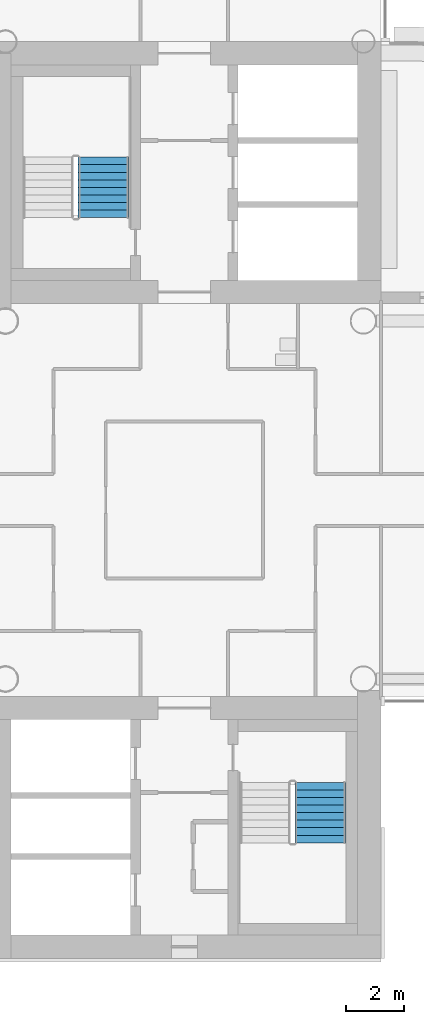
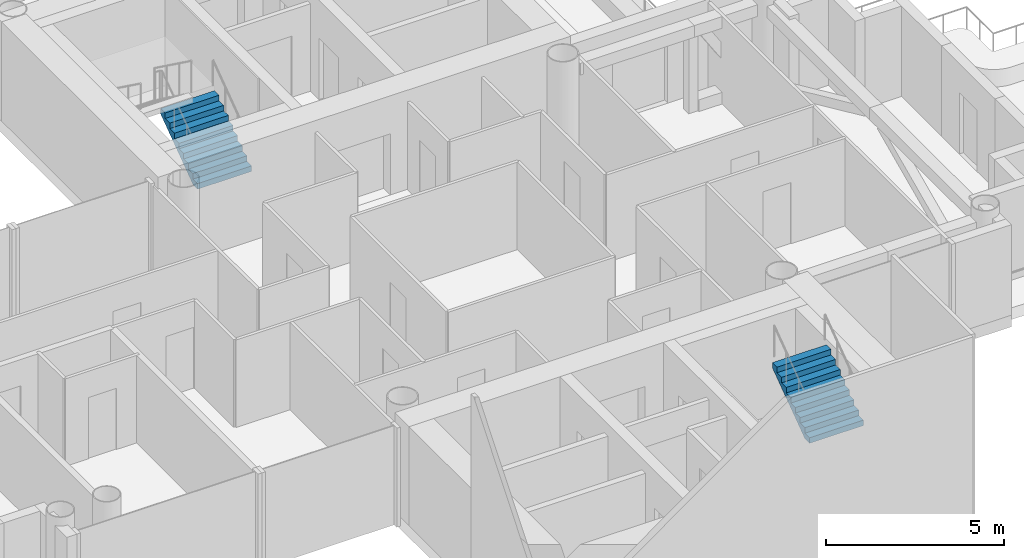
# One storey, part 16 of 19: 2 stair flights, 2 elements without a shape of their own.
"""IFC4 building model written with IfcOpenShell, lengths in metres."""

from ifc_helpers import new_model, si_unit, direction, frame, origin, place, context, subcontext, project, spatial, faceted_brep, material, type_object, element, aggregate, save


model = new_model("IFC4")

# Units and contexts
model_context = context("Model", 3, precision=1e-05, world=origin(), true_north=direction((0.0, 1.0)))
body_context = subcontext(model_context, "Body", "Model", "MODEL_VIEW")
ifc_project = project(units=[si_unit("LENGTHUNIT", "METRE"), si_unit("AREAUNIT", "SQUARE_METRE"), si_unit("VOLUMEUNIT", "CUBIC_METRE"), si_unit("PLANEANGLEUNIT", "RADIAN"), si_unit("MASSUNIT", "GRAM", prefix="KILO")], contexts=[model_context])

# Site, building, storey
site_placement = place(None, origin())
site = spatial("IfcSite", under=ifc_project, at=site_placement, CompositionType="ELEMENT")
building_placement = place(site_placement, origin())
building = spatial("IfcBuilding", under=site, at=building_placement, Name="Ipe Terrace Towers", CompositionType="ELEMENT")
storey_placement = place(building_placement, frame((0.0, 0.0, 133.699951171875)))
storey = spatial("IfcBuildingStorey", under=building, at=storey_placement, Name="L36", CompositionType="ELEMENT", Elevation=133.699951171875)

# Stair, stair flight
ifc_material_1 = material(Name="Concrete C30/37", Category="concrete")
stair_type = type_object("IfcStairType", Name="Protected exit stair", PredefinedType="HALF_TURN_STAIR", material=ifc_material_1)
stair_1_placement = place(storey_placement, origin())
stair_1 = element("IfcStair", 1, at=stair_1_placement, inside=storey, type_object=stair_type, Name="L36 Exit stair T2-C1", PredefinedType="HALF_TURN_STAIR")
ifc_material_2 = material(Name="Concrete C30/37", Category="concrete")
stair_flight_type = type_object("IfcStairFlightType", Name="Exit stair flight 1750", PredefinedType="STRAIGHT", material=ifc_material_2)
stair_flight_1_placement = place(storey_placement, frame((33.22509765625, 9.699951171875, 0.0), z_axis=(0.0, 0.0, 1.0), x_axis=(0.0, 1.0, 0.0)))
stair_flight_1 = element("IfcStairFlight", 2, at=stair_flight_1_placement, type_object=stair_flight_type, Name="T2-ST1 flight 1", NumberOfRisers=9, NumberOfTreads=8, PredefinedType="STRAIGHT", RiserHeight=0.188888889, TreadLength=0.26, context=body_context, shape_type="Brep", body=[
    faceted_brep([(0.255126953125, -0.875, 0.0), (2.080078125, -0.875, 1.325927734375), (2.080078125, -0.875, 1.51123046875), (1.820068359375, -0.875, 1.51123046875), (1.820068359375, -0.875, 1.322265625), (1.56005859375, -0.875, 1.322265625), (1.56005859375, -0.875, 1.13330078125), (1.300048828125, -0.875, 1.13330078125), (1.300048828125, -0.875, 0.9443359375), (1.0400390625, -0.875, 0.9443359375), (1.0400390625, -0.875, 0.755615234375), (0.780029296875, -0.875, 0.755615234375), (0.780029296875, -0.875, 0.566650390625), (0.52001953125, -0.875, 0.566650390625), (0.52001953125, -0.875, 0.377685546875), (0.260009765625, -0.875, 0.377685546875), (0.260009765625, -0.875, 0.18896484375), (0.0, -0.875, 0.18896484375), (0.0, -0.875, 0.0), (0.0, 0.875, 0.0), (0.0, 0.875, 0.18896484375), (0.260009765625, 0.875, 0.18896484375), (0.260009765625, 0.875, 0.377685546875), (0.52001953125, 0.875, 0.377685546875), (0.52001953125, 0.875, 0.566650390625), (0.780029296875, 0.875, 0.566650390625), (0.780029296875, 0.875, 0.755615234375), (1.0400390625, 0.875, 0.755615234375), (1.0400390625, 0.875, 0.9443359375), (1.300048828125, 0.875, 0.9443359375), (1.300048828125, 0.875, 1.13330078125), (1.56005859375, 0.875, 1.13330078125), (1.56005859375, 0.875, 1.322265625), (1.820068359375, 0.875, 1.322265625), (1.820068359375, 0.875, 1.51123046875), (2.080078125, 0.875, 1.51123046875), (2.080078125, 0.875, 1.325927734375), (0.255126953125, 0.875, 0.0), (0.0, -0.300048828125, 0.18896484375), (0.0, -0.1201171875, 0.18896484375), (0.0, -0.06005859375, 0.18896484375), (0.0, -0.030029296875, 0.18896484375), (0.0, -0.010009765625, 0.18896484375), (0.0, 0.0, 0.18896484375), (0.0, 0.010009765625, 0.18896484375), (0.0, 0.030029296875, 0.18896484375), (0.0, 0.06005859375, 0.18896484375), (0.0, 0.1201171875, 0.18896484375), (0.0, 0.300048828125, 0.18896484375), (0.0, 0.300048828125, 0.0), (0.0, 0.1201171875, 0.0), (0.0, 0.06005859375, 0.0), (0.0, 0.030029296875, 0.0), (0.0, 0.010009765625, 0.0), (0.0, 0.0, 0.0), (0.0, -0.010009765625, 0.0), (0.0, -0.030029296875, 0.0), (0.0, -0.06005859375, 0.0), (0.0, -0.1201171875, 0.0), (0.0, -0.300048828125, 0.0), (0.260009765625, -0.300048828125, 0.18896484375), (0.260009765625, -0.1201171875, 0.18896484375), (0.260009765625, -0.06005859375, 0.18896484375), (0.260009765625, -0.030029296875, 0.18896484375), (0.260009765625, -0.010009765625, 0.18896484375), (0.260009765625, 0.0, 0.18896484375), (0.260009765625, 0.010009765625, 0.18896484375), (0.260009765625, 0.030029296875, 0.18896484375), (0.260009765625, 0.06005859375, 0.18896484375), (0.260009765625, 0.1201171875, 0.18896484375), (0.260009765625, 0.300048828125, 0.18896484375), (0.260009765625, -0.300048828125, 0.377685546875), (0.260009765625, -0.1201171875, 0.377685546875), (0.260009765625, -0.06005859375, 0.377685546875), (0.260009765625, -0.030029296875, 0.377685546875), (0.260009765625, -0.010009765625, 0.377685546875), (0.260009765625, 0.0, 0.377685546875), (0.260009765625, 0.010009765625, 0.377685546875), (0.260009765625, 0.030029296875, 0.377685546875), (0.260009765625, 0.06005859375, 0.377685546875), (0.260009765625, 0.1201171875, 0.377685546875), (0.260009765625, 0.300048828125, 0.377685546875), (0.52001953125, -0.300048828125, 0.377685546875), (0.52001953125, -0.1201171875, 0.377685546875), (0.52001953125, -0.06005859375, 0.377685546875), (0.52001953125, -0.030029296875, 0.377685546875), (0.52001953125, -0.010009765625, 0.377685546875), (0.52001953125, 0.0, 0.377685546875), (0.52001953125, 0.010009765625, 0.377685546875), (0.52001953125, 0.030029296875, 0.377685546875), (0.52001953125, 0.06005859375, 0.377685546875), (0.52001953125, 0.1201171875, 0.377685546875), (0.52001953125, 0.300048828125, 0.377685546875), (0.52001953125, -0.300048828125, 0.566650390625), (0.52001953125, -0.1201171875, 0.566650390625), (0.52001953125, -0.06005859375, 0.566650390625), (0.52001953125, -0.030029296875, 0.566650390625), (0.52001953125, -0.010009765625, 0.566650390625), (0.52001953125, 0.0, 0.566650390625), (0.52001953125, 0.010009765625, 0.566650390625), (0.52001953125, 0.030029296875, 0.566650390625), (0.52001953125, 0.06005859375, 0.566650390625), (0.52001953125, 0.1201171875, 0.566650390625), (0.52001953125, 0.300048828125, 0.566650390625), (0.780029296875, -0.300048828125, 0.566650390625), (0.780029296875, -0.1201171875, 0.566650390625), (0.780029296875, -0.06005859375, 0.566650390625), (0.780029296875, -0.030029296875, 0.566650390625), (0.780029296875, -0.010009765625, 0.566650390625), (0.780029296875, 0.0, 0.566650390625), (0.780029296875, 0.010009765625, 0.566650390625), (0.780029296875, 0.030029296875, 0.566650390625), (0.780029296875, 0.06005859375, 0.566650390625), (0.780029296875, 0.1201171875, 0.566650390625), (0.780029296875, 0.300048828125, 0.566650390625), (0.780029296875, -0.300048828125, 0.755615234375), (0.780029296875, -0.1201171875, 0.755615234375), (0.780029296875, -0.06005859375, 0.755615234375), (0.780029296875, -0.030029296875, 0.755615234375), (0.780029296875, -0.010009765625, 0.755615234375), (0.780029296875, 0.0, 0.755615234375), (0.780029296875, 0.010009765625, 0.755615234375), (0.780029296875, 0.030029296875, 0.755615234375), (0.780029296875, 0.06005859375, 0.755615234375), (0.780029296875, 0.1201171875, 0.755615234375), (0.780029296875, 0.300048828125, 0.755615234375), (1.0400390625, -0.300048828125, 0.755615234375), (1.0400390625, -0.1201171875, 0.755615234375), (1.0400390625, -0.06005859375, 0.755615234375), (1.0400390625, -0.030029296875, 0.755615234375), (1.0400390625, -0.010009765625, 0.755615234375), (1.0400390625, 0.0, 0.755615234375), (1.0400390625, 0.010009765625, 0.755615234375), (1.0400390625, 0.030029296875, 0.755615234375), (1.0400390625, 0.06005859375, 0.755615234375), (1.0400390625, 0.1201171875, 0.755615234375), (1.0400390625, 0.300048828125, 0.755615234375), (1.0400390625, -0.300048828125, 0.9443359375), (1.0400390625, -0.1201171875, 0.9443359375), (1.0400390625, -0.06005859375, 0.9443359375), (1.0400390625, -0.030029296875, 0.9443359375), (1.0400390625, -0.010009765625, 0.9443359375), (1.0400390625, 0.0, 0.9443359375), (1.0400390625, 0.010009765625, 0.9443359375), (1.0400390625, 0.030029296875, 0.9443359375), (1.0400390625, 0.06005859375, 0.9443359375), (1.0400390625, 0.1201171875, 0.9443359375), (1.0400390625, 0.300048828125, 0.9443359375), (1.300048828125, -0.300048828125, 0.9443359375), (1.300048828125, -0.1201171875, 0.9443359375), (1.300048828125, -0.06005859375, 0.9443359375), (1.300048828125, -0.030029296875, 0.9443359375), (1.300048828125, -0.010009765625, 0.9443359375), (1.300048828125, 0.0, 0.9443359375), (1.300048828125, 0.010009765625, 0.9443359375), (1.300048828125, 0.030029296875, 0.9443359375), (1.300048828125, 0.06005859375, 0.9443359375), (1.300048828125, 0.1201171875, 0.9443359375), (1.300048828125, 0.300048828125, 0.9443359375), (1.300048828125, -0.300048828125, 1.13330078125), (1.300048828125, -0.1201171875, 1.13330078125), (1.300048828125, -0.06005859375, 1.13330078125), (1.300048828125, -0.030029296875, 1.13330078125), (1.300048828125, -0.010009765625, 1.13330078125), (1.300048828125, 0.0, 1.13330078125), (1.300048828125, 0.010009765625, 1.13330078125), (1.300048828125, 0.030029296875, 1.13330078125), (1.300048828125, 0.06005859375, 1.13330078125), (1.300048828125, 0.1201171875, 1.13330078125), (1.300048828125, 0.300048828125, 1.13330078125), (1.56005859375, -0.300048828125, 1.13330078125), (1.56005859375, -0.1201171875, 1.13330078125), (1.56005859375, -0.06005859375, 1.13330078125), (1.56005859375, -0.030029296875, 1.13330078125), (1.56005859375, -0.010009765625, 1.13330078125), (1.56005859375, 0.0, 1.13330078125), (1.56005859375, 0.010009765625, 1.13330078125), (1.56005859375, 0.030029296875, 1.13330078125), (1.56005859375, 0.06005859375, 1.13330078125), (1.56005859375, 0.1201171875, 1.13330078125), (1.56005859375, 0.300048828125, 1.13330078125), (1.56005859375, -0.300048828125, 1.322265625), (1.56005859375, -0.1201171875, 1.322265625), (1.56005859375, -0.06005859375, 1.322265625), (1.56005859375, -0.030029296875, 1.322265625), (1.56005859375, -0.010009765625, 1.322265625), (1.56005859375, 0.0, 1.322265625), (1.56005859375, 0.010009765625, 1.322265625), (1.56005859375, 0.030029296875, 1.322265625), (1.56005859375, 0.06005859375, 1.322265625), (1.56005859375, 0.1201171875, 1.322265625), (1.56005859375, 0.300048828125, 1.322265625), (1.820068359375, -0.300048828125, 1.322265625), (1.820068359375, -0.1201171875, 1.322265625), (1.820068359375, -0.06005859375, 1.322265625), (1.820068359375, -0.030029296875, 1.322265625), (1.820068359375, -0.010009765625, 1.322265625), (1.820068359375, 0.0, 1.322265625), (1.820068359375, 0.010009765625, 1.322265625), (1.820068359375, 0.030029296875, 1.322265625), (1.820068359375, 0.06005859375, 1.322265625), (1.820068359375, 0.1201171875, 1.322265625), (1.820068359375, 0.300048828125, 1.322265625), (1.820068359375, -0.300048828125, 1.51123046875), (1.820068359375, -0.1201171875, 1.51123046875), (1.820068359375, -0.06005859375, 1.51123046875), (1.820068359375, -0.030029296875, 1.51123046875), (1.820068359375, -0.010009765625, 1.51123046875), (1.820068359375, 0.0, 1.51123046875), (1.820068359375, 0.010009765625, 1.51123046875), (1.820068359375, 0.030029296875, 1.51123046875), (1.820068359375, 0.06005859375, 1.51123046875), (1.820068359375, 0.1201171875, 1.51123046875), (1.820068359375, 0.300048828125, 1.51123046875), (2.080078125, -0.300048828125, 1.51123046875), (2.080078125, -0.1201171875, 1.51123046875), (2.080078125, -0.06005859375, 1.51123046875), (2.080078125, -0.030029296875, 1.51123046875), (2.080078125, -0.010009765625, 1.51123046875), (2.080078125, 0.0, 1.51123046875), (2.080078125, 0.010009765625, 1.51123046875), (2.080078125, 0.030029296875, 1.51123046875), (2.080078125, 0.06005859375, 1.51123046875), (2.080078125, 0.1201171875, 1.51123046875), (2.080078125, 0.300048828125, 1.51123046875), (2.080078125, -0.300048828125, 1.325927734375), (2.080078125, -0.1201171875, 1.325927734375), (2.080078125, -0.06005859375, 1.325927734375), (2.080078125, -0.030029296875, 1.325927734375), (2.080078125, -0.010009765625, 1.325927734375), (2.080078125, 0.0, 1.325927734375), (2.080078125, 0.010009765625, 1.325927734375), (2.080078125, 0.030029296875, 1.325927734375), (2.080078125, 0.06005859375, 1.325927734375), (2.080078125, 0.1201171875, 1.325927734375), (2.080078125, 0.300048828125, 1.325927734375), (0.255126953125, -0.300048828125, 0.0), (0.255126953125, -0.1201171875, 0.0), (0.255126953125, -0.06005859375, 0.0), (0.255126953125, -0.030029296875, 0.0), (0.255126953125, -0.010009765625, 0.0), (0.255126953125, 0.0, 0.0), (0.255126953125, 0.010009765625, 0.0), (0.255126953125, 0.030029296875, 0.0), (0.255126953125, 0.06005859375, 0.0), (0.255126953125, 0.1201171875, 0.0), (0.255126953125, 0.300048828125, 0.0)], [[[0, 1, 2, 3, 4, 5, 6, 7, 8, 9, 10, 11, 12, 13, 14, 15, 16, 17, 18]], [[19, 20, 21, 22, 23, 24, 25, 26, 27, 28, 29, 30, 31, 32, 33, 34, 35, 36, 37]], [[17, 38, 39, 40, 41, 42, 43, 44, 45, 46, 47, 48, 20, 19, 49, 50, 51, 52, 53, 54, 55, 56, 57, 58, 59, 18]], [[16, 60, 61, 62, 63, 64, 65, 66, 67, 68, 69, 70, 21, 20, 48, 47, 46, 45, 44, 43, 42, 41, 40, 39, 38, 17]], [[15, 71, 72, 73, 74, 75, 76, 77, 78, 79, 80, 81, 22, 21, 70, 69, 68, 67, 66, 65, 64, 63, 62, 61, 60, 16]], [[14, 82, 83, 84, 85, 86, 87, 88, 89, 90, 91, 92, 23, 22, 81, 80, 79, 78, 77, 76, 75, 74, 73, 72, 71, 15]], [[13, 93, 94, 95, 96, 97, 98, 99, 100, 101, 102, 103, 24, 23, 92, 91, 90, 89, 88, 87, 86, 85, 84, 83, 82, 14]], [[12, 104, 105, 106, 107, 108, 109, 110, 111, 112, 113, 114, 25, 24, 103, 102, 101, 100, 99, 98, 97, 96, 95, 94, 93, 13]], [[11, 115, 116, 117, 118, 119, 120, 121, 122, 123, 124, 125, 26, 25, 114, 113, 112, 111, 110, 109, 108, 107, 106, 105, 104, 12]], [[10, 126, 127, 128, 129, 130, 131, 132, 133, 134, 135, 136, 27, 26, 125, 124, 123, 122, 121, 120, 119, 118, 117, 116, 115, 11]], [[9, 137, 138, 139, 140, 141, 142, 143, 144, 145, 146, 147, 28, 27, 136, 135, 134, 133, 132, 131, 130, 129, 128, 127, 126, 10]], [[8, 148, 149, 150, 151, 152, 153, 154, 155, 156, 157, 158, 29, 28, 147, 146, 145, 144, 143, 142, 141, 140, 139, 138, 137, 9]], [[7, 159, 160, 161, 162, 163, 164, 165, 166, 167, 168, 169, 30, 29, 158, 157, 156, 155, 154, 153, 152, 151, 150, 149, 148, 8]], [[6, 170, 171, 172, 173, 174, 175, 176, 177, 178, 179, 180, 31, 30, 169, 168, 167, 166, 165, 164, 163, 162, 161, 160, 159, 7]], [[5, 181, 182, 183, 184, 185, 186, 187, 188, 189, 190, 191, 32, 31, 180, 179, 178, 177, 176, 175, 174, 173, 172, 171, 170, 6]], [[4, 192, 193, 194, 195, 196, 197, 198, 199, 200, 201, 202, 33, 32, 191, 190, 189, 188, 187, 186, 185, 184, 183, 182, 181, 5]], [[3, 203, 204, 205, 206, 207, 208, 209, 210, 211, 212, 213, 34, 33, 202, 201, 200, 199, 198, 197, 196, 195, 194, 193, 192, 4]], [[2, 214, 215, 216, 217, 218, 219, 220, 221, 222, 223, 224, 35, 34, 213, 212, 211, 210, 209, 208, 207, 206, 205, 204, 203, 3]], [[1, 225, 226, 227, 228, 229, 230, 231, 232, 233, 234, 235, 36, 35, 224, 223, 222, 221, 220, 219, 218, 217, 216, 215, 214, 2]], [[0, 236, 237, 238, 239, 240, 241, 242, 243, 244, 245, 246, 37, 36, 235, 234, 233, 232, 231, 230, 229, 228, 227, 226, 225, 1]], [[18, 59, 58, 57, 56, 55, 54, 53, 52, 51, 50, 49, 19, 37, 246, 245, 244, 243, 242, 241, 240, 239, 238, 237, 236, 0]]]),
])
aggregate(stair_1, [stair_flight_1])

stair_2_placement = place(storey_placement, origin())
stair_2 = element("IfcStair", 3, at=stair_2_placement, inside=storey, type_object=stair_type, Name="L36 Exit stair T2-C2", PredefinedType="HALF_TURN_STAIR")
stair_flight_2_placement = place(storey_placement, frame((40.675048828125, -11.780029296875, 1.699951171875), z_axis=(0.0, 0.0, 1.0), x_axis=(0.0, 1.0, 0.0)))
stair_flight_2 = element("IfcStairFlight", 4, at=stair_flight_2_placement, type_object=stair_flight_type, Name="T2-ST2 flight 2", NumberOfRisers=9, NumberOfTreads=8, PredefinedType="STRAIGHT", RiserHeight=0.188888889, TreadLength=0.26, context=body_context, shape_type="Brep", body=[
    faceted_brep([(0.255126953125, -0.875, 0.0), (2.080078125, -0.875, 1.325927734375), (2.080078125, -0.875, 1.51123046875), (1.820068359375, -0.875, 1.51123046875), (1.820068359375, -0.875, 1.322265625), (1.56005859375, -0.875, 1.322265625), (1.56005859375, -0.875, 1.13330078125), (1.300048828125, -0.875, 1.13330078125), (1.300048828125, -0.875, 0.9443359375), (1.0400390625, -0.875, 0.9443359375), (1.0400390625, -0.875, 0.755615234375), (0.780029296875, -0.875, 0.755615234375), (0.780029296875, -0.875, 0.566650390625), (0.52001953125, -0.875, 0.566650390625), (0.52001953125, -0.875, 0.377685546875), (0.260009765625, -0.875, 0.377685546875), (0.260009765625, -0.875, 0.18896484375), (0.0, -0.875, 0.18896484375), (0.0, -0.875, 0.0), (0.0, 0.875, 0.0), (0.0, 0.875, 0.18896484375), (0.260009765625, 0.875, 0.18896484375), (0.260009765625, 0.875, 0.377685546875), (0.52001953125, 0.875, 0.377685546875), (0.52001953125, 0.875, 0.566650390625), (0.780029296875, 0.875, 0.566650390625), (0.780029296875, 0.875, 0.755615234375), (1.0400390625, 0.875, 0.755615234375), (1.0400390625, 0.875, 0.9443359375), (1.300048828125, 0.875, 0.9443359375), (1.300048828125, 0.875, 1.13330078125), (1.56005859375, 0.875, 1.13330078125), (1.56005859375, 0.875, 1.322265625), (1.820068359375, 0.875, 1.322265625), (1.820068359375, 0.875, 1.51123046875), (2.080078125, 0.875, 1.51123046875), (2.080078125, 0.875, 1.325927734375), (0.255126953125, 0.875, 0.0), (0.0, -0.300048828125, 0.18896484375), (0.0, -0.1201171875, 0.18896484375), (0.0, -0.06005859375, 0.18896484375), (0.0, -0.030029296875, 0.18896484375), (0.0, -0.010009765625, 0.18896484375), (0.0, 0.0, 0.18896484375), (0.0, 0.010009765625, 0.18896484375), (0.0, 0.030029296875, 0.18896484375), (0.0, 0.06005859375, 0.18896484375), (0.0, 0.1201171875, 0.18896484375), (0.0, 0.300048828125, 0.18896484375), (0.0, 0.300048828125, 0.0), (0.0, 0.1201171875, 0.0), (0.0, 0.06005859375, 0.0), (0.0, 0.030029296875, 0.0), (0.0, 0.010009765625, 0.0), (0.0, 0.0, 0.0), (0.0, -0.010009765625, 0.0), (0.0, -0.030029296875, 0.0), (0.0, -0.06005859375, 0.0), (0.0, -0.1201171875, 0.0), (0.0, -0.300048828125, 0.0), (0.260009765625, -0.300048828125, 0.18896484375), (0.260009765625, -0.1201171875, 0.18896484375), (0.260009765625, -0.06005859375, 0.18896484375), (0.260009765625, -0.030029296875, 0.18896484375), (0.260009765625, -0.010009765625, 0.18896484375), (0.260009765625, 0.0, 0.18896484375), (0.260009765625, 0.010009765625, 0.18896484375), (0.260009765625, 0.030029296875, 0.18896484375), (0.260009765625, 0.06005859375, 0.18896484375), (0.260009765625, 0.1201171875, 0.18896484375), (0.260009765625, 0.300048828125, 0.18896484375), (0.260009765625, -0.300048828125, 0.377685546875), (0.260009765625, -0.1201171875, 0.377685546875), (0.260009765625, -0.06005859375, 0.377685546875), (0.260009765625, -0.030029296875, 0.377685546875), (0.260009765625, -0.010009765625, 0.377685546875), (0.260009765625, 0.0, 0.377685546875), (0.260009765625, 0.010009765625, 0.377685546875), (0.260009765625, 0.030029296875, 0.377685546875), (0.260009765625, 0.06005859375, 0.377685546875), (0.260009765625, 0.1201171875, 0.377685546875), (0.260009765625, 0.300048828125, 0.377685546875), (0.52001953125, -0.300048828125, 0.377685546875), (0.52001953125, -0.1201171875, 0.377685546875), (0.52001953125, -0.06005859375, 0.377685546875), (0.52001953125, -0.030029296875, 0.377685546875), (0.52001953125, -0.010009765625, 0.377685546875), (0.52001953125, 0.0, 0.377685546875), (0.52001953125, 0.010009765625, 0.377685546875), (0.52001953125, 0.030029296875, 0.377685546875), (0.52001953125, 0.06005859375, 0.377685546875), (0.52001953125, 0.1201171875, 0.377685546875), (0.52001953125, 0.300048828125, 0.377685546875), (0.52001953125, -0.300048828125, 0.566650390625), (0.52001953125, -0.1201171875, 0.566650390625), (0.52001953125, -0.06005859375, 0.566650390625), (0.52001953125, -0.030029296875, 0.566650390625), (0.52001953125, -0.010009765625, 0.566650390625), (0.52001953125, 0.0, 0.566650390625), (0.52001953125, 0.010009765625, 0.566650390625), (0.52001953125, 0.030029296875, 0.566650390625), (0.52001953125, 0.06005859375, 0.566650390625), (0.52001953125, 0.1201171875, 0.566650390625), (0.52001953125, 0.300048828125, 0.566650390625), (0.780029296875, -0.300048828125, 0.566650390625), (0.780029296875, -0.1201171875, 0.566650390625), (0.780029296875, -0.06005859375, 0.566650390625), (0.780029296875, -0.030029296875, 0.566650390625), (0.780029296875, -0.010009765625, 0.566650390625), (0.780029296875, 0.0, 0.566650390625), (0.780029296875, 0.010009765625, 0.566650390625), (0.780029296875, 0.030029296875, 0.566650390625), (0.780029296875, 0.06005859375, 0.566650390625), (0.780029296875, 0.1201171875, 0.566650390625), (0.780029296875, 0.300048828125, 0.566650390625), (0.780029296875, -0.300048828125, 0.755615234375), (0.780029296875, -0.1201171875, 0.755615234375), (0.780029296875, -0.06005859375, 0.755615234375), (0.780029296875, -0.030029296875, 0.755615234375), (0.780029296875, -0.010009765625, 0.755615234375), (0.780029296875, 0.0, 0.755615234375), (0.780029296875, 0.010009765625, 0.755615234375), (0.780029296875, 0.030029296875, 0.755615234375), (0.780029296875, 0.06005859375, 0.755615234375), (0.780029296875, 0.1201171875, 0.755615234375), (0.780029296875, 0.300048828125, 0.755615234375), (1.0400390625, -0.300048828125, 0.755615234375), (1.0400390625, -0.1201171875, 0.755615234375), (1.0400390625, -0.06005859375, 0.755615234375), (1.0400390625, -0.030029296875, 0.755615234375), (1.0400390625, -0.010009765625, 0.755615234375), (1.0400390625, 0.0, 0.755615234375), (1.0400390625, 0.010009765625, 0.755615234375), (1.0400390625, 0.030029296875, 0.755615234375), (1.0400390625, 0.06005859375, 0.755615234375), (1.0400390625, 0.1201171875, 0.755615234375), (1.0400390625, 0.300048828125, 0.755615234375), (1.0400390625, -0.300048828125, 0.9443359375), (1.0400390625, -0.1201171875, 0.9443359375), (1.0400390625, -0.06005859375, 0.9443359375), (1.0400390625, -0.030029296875, 0.9443359375), (1.0400390625, -0.010009765625, 0.9443359375), (1.0400390625, 0.0, 0.9443359375), (1.0400390625, 0.010009765625, 0.9443359375), (1.0400390625, 0.030029296875, 0.9443359375), (1.0400390625, 0.06005859375, 0.9443359375), (1.0400390625, 0.1201171875, 0.9443359375), (1.0400390625, 0.300048828125, 0.9443359375), (1.300048828125, -0.300048828125, 0.9443359375), (1.300048828125, -0.1201171875, 0.9443359375), (1.300048828125, -0.06005859375, 0.9443359375), (1.300048828125, -0.030029296875, 0.9443359375), (1.300048828125, -0.010009765625, 0.9443359375), (1.300048828125, 0.0, 0.9443359375), (1.300048828125, 0.010009765625, 0.9443359375), (1.300048828125, 0.030029296875, 0.9443359375), (1.300048828125, 0.06005859375, 0.9443359375), (1.300048828125, 0.1201171875, 0.9443359375), (1.300048828125, 0.300048828125, 0.9443359375), (1.300048828125, -0.300048828125, 1.13330078125), (1.300048828125, -0.1201171875, 1.13330078125), (1.300048828125, -0.06005859375, 1.13330078125), (1.300048828125, -0.030029296875, 1.13330078125), (1.300048828125, -0.010009765625, 1.13330078125), (1.300048828125, 0.0, 1.13330078125), (1.300048828125, 0.010009765625, 1.13330078125), (1.300048828125, 0.030029296875, 1.13330078125), (1.300048828125, 0.06005859375, 1.13330078125), (1.300048828125, 0.1201171875, 1.13330078125), (1.300048828125, 0.300048828125, 1.13330078125), (1.56005859375, -0.300048828125, 1.13330078125), (1.56005859375, -0.1201171875, 1.13330078125), (1.56005859375, -0.06005859375, 1.13330078125), (1.56005859375, -0.030029296875, 1.13330078125), (1.56005859375, -0.010009765625, 1.13330078125), (1.56005859375, 0.0, 1.13330078125), (1.56005859375, 0.010009765625, 1.13330078125), (1.56005859375, 0.030029296875, 1.13330078125), (1.56005859375, 0.06005859375, 1.13330078125), (1.56005859375, 0.1201171875, 1.13330078125), (1.56005859375, 0.300048828125, 1.13330078125), (1.56005859375, -0.300048828125, 1.322265625), (1.56005859375, -0.1201171875, 1.322265625), (1.56005859375, -0.06005859375, 1.322265625), (1.56005859375, -0.030029296875, 1.322265625), (1.56005859375, -0.010009765625, 1.322265625), (1.56005859375, 0.0, 1.322265625), (1.56005859375, 0.010009765625, 1.322265625), (1.56005859375, 0.030029296875, 1.322265625), (1.56005859375, 0.06005859375, 1.322265625), (1.56005859375, 0.1201171875, 1.322265625), (1.56005859375, 0.300048828125, 1.322265625), (1.820068359375, -0.300048828125, 1.322265625), (1.820068359375, -0.1201171875, 1.322265625), (1.820068359375, -0.06005859375, 1.322265625), (1.820068359375, -0.030029296875, 1.322265625), (1.820068359375, -0.010009765625, 1.322265625), (1.820068359375, 0.0, 1.322265625), (1.820068359375, 0.010009765625, 1.322265625), (1.820068359375, 0.030029296875, 1.322265625), (1.820068359375, 0.06005859375, 1.322265625), (1.820068359375, 0.1201171875, 1.322265625), (1.820068359375, 0.300048828125, 1.322265625), (1.820068359375, -0.300048828125, 1.51123046875), (1.820068359375, -0.1201171875, 1.51123046875), (1.820068359375, -0.06005859375, 1.51123046875), (1.820068359375, -0.030029296875, 1.51123046875), (1.820068359375, -0.010009765625, 1.51123046875), (1.820068359375, 0.0, 1.51123046875), (1.820068359375, 0.010009765625, 1.51123046875), (1.820068359375, 0.030029296875, 1.51123046875), (1.820068359375, 0.06005859375, 1.51123046875), (1.820068359375, 0.1201171875, 1.51123046875), (1.820068359375, 0.300048828125, 1.51123046875), (2.080078125, -0.300048828125, 1.51123046875), (2.080078125, -0.1201171875, 1.51123046875), (2.080078125, -0.06005859375, 1.51123046875), (2.080078125, -0.030029296875, 1.51123046875), (2.080078125, -0.010009765625, 1.51123046875), (2.080078125, 0.0, 1.51123046875), (2.080078125, 0.010009765625, 1.51123046875), (2.080078125, 0.030029296875, 1.51123046875), (2.080078125, 0.06005859375, 1.51123046875), (2.080078125, 0.1201171875, 1.51123046875), (2.080078125, 0.300048828125, 1.51123046875), (2.080078125, -0.300048828125, 1.325927734375), (2.080078125, -0.1201171875, 1.325927734375), (2.080078125, -0.06005859375, 1.325927734375), (2.080078125, -0.030029296875, 1.325927734375), (2.080078125, -0.010009765625, 1.325927734375), (2.080078125, 0.0, 1.325927734375), (2.080078125, 0.010009765625, 1.325927734375), (2.080078125, 0.030029296875, 1.325927734375), (2.080078125, 0.06005859375, 1.325927734375), (2.080078125, 0.1201171875, 1.325927734375), (2.080078125, 0.300048828125, 1.325927734375), (0.255126953125, -0.300048828125, 0.0), (0.255126953125, -0.1201171875, 0.0), (0.255126953125, -0.06005859375, 0.0), (0.255126953125, -0.030029296875, 0.0), (0.255126953125, -0.010009765625, 0.0), (0.255126953125, 0.0, 0.0), (0.255126953125, 0.010009765625, 0.0), (0.255126953125, 0.030029296875, 0.0), (0.255126953125, 0.06005859375, 0.0), (0.255126953125, 0.1201171875, 0.0), (0.255126953125, 0.300048828125, 0.0)], [[[0, 1, 2, 3, 4, 5, 6, 7, 8, 9, 10, 11, 12, 13, 14, 15, 16, 17, 18]], [[19, 20, 21, 22, 23, 24, 25, 26, 27, 28, 29, 30, 31, 32, 33, 34, 35, 36, 37]], [[17, 38, 39, 40, 41, 42, 43, 44, 45, 46, 47, 48, 20, 19, 49, 50, 51, 52, 53, 54, 55, 56, 57, 58, 59, 18]], [[16, 60, 61, 62, 63, 64, 65, 66, 67, 68, 69, 70, 21, 20, 48, 47, 46, 45, 44, 43, 42, 41, 40, 39, 38, 17]], [[15, 71, 72, 73, 74, 75, 76, 77, 78, 79, 80, 81, 22, 21, 70, 69, 68, 67, 66, 65, 64, 63, 62, 61, 60, 16]], [[14, 82, 83, 84, 85, 86, 87, 88, 89, 90, 91, 92, 23, 22, 81, 80, 79, 78, 77, 76, 75, 74, 73, 72, 71, 15]], [[13, 93, 94, 95, 96, 97, 98, 99, 100, 101, 102, 103, 24, 23, 92, 91, 90, 89, 88, 87, 86, 85, 84, 83, 82, 14]], [[12, 104, 105, 106, 107, 108, 109, 110, 111, 112, 113, 114, 25, 24, 103, 102, 101, 100, 99, 98, 97, 96, 95, 94, 93, 13]], [[11, 115, 116, 117, 118, 119, 120, 121, 122, 123, 124, 125, 26, 25, 114, 113, 112, 111, 110, 109, 108, 107, 106, 105, 104, 12]], [[10, 126, 127, 128, 129, 130, 131, 132, 133, 134, 135, 136, 27, 26, 125, 124, 123, 122, 121, 120, 119, 118, 117, 116, 115, 11]], [[9, 137, 138, 139, 140, 141, 142, 143, 144, 145, 146, 147, 28, 27, 136, 135, 134, 133, 132, 131, 130, 129, 128, 127, 126, 10]], [[8, 148, 149, 150, 151, 152, 153, 154, 155, 156, 157, 158, 29, 28, 147, 146, 145, 144, 143, 142, 141, 140, 139, 138, 137, 9]], [[7, 159, 160, 161, 162, 163, 164, 165, 166, 167, 168, 169, 30, 29, 158, 157, 156, 155, 154, 153, 152, 151, 150, 149, 148, 8]], [[6, 170, 171, 172, 173, 174, 175, 176, 177, 178, 179, 180, 31, 30, 169, 168, 167, 166, 165, 164, 163, 162, 161, 160, 159, 7]], [[5, 181, 182, 183, 184, 185, 186, 187, 188, 189, 190, 191, 32, 31, 180, 179, 178, 177, 176, 175, 174, 173, 172, 171, 170, 6]], [[4, 192, 193, 194, 195, 196, 197, 198, 199, 200, 201, 202, 33, 32, 191, 190, 189, 188, 187, 186, 185, 184, 183, 182, 181, 5]], [[3, 203, 204, 205, 206, 207, 208, 209, 210, 211, 212, 213, 34, 33, 202, 201, 200, 199, 198, 197, 196, 195, 194, 193, 192, 4]], [[2, 214, 215, 216, 217, 218, 219, 220, 221, 222, 223, 224, 35, 34, 213, 212, 211, 210, 209, 208, 207, 206, 205, 204, 203, 3]], [[1, 225, 226, 227, 228, 229, 230, 231, 232, 233, 234, 235, 36, 35, 224, 223, 222, 221, 220, 219, 218, 217, 216, 215, 214, 2]], [[0, 236, 237, 238, 239, 240, 241, 242, 243, 244, 245, 246, 37, 36, 235, 234, 233, 232, 231, 230, 229, 228, 227, 226, 225, 1]], [[18, 59, 58, 57, 56, 55, 54, 53, 52, 51, 50, 49, 19, 37, 246, 245, 244, 243, 242, 241, 240, 239, 238, 237, 236, 0]]]),
])
aggregate(stair_2, [stair_flight_2])

save(model, "model.ifc")
